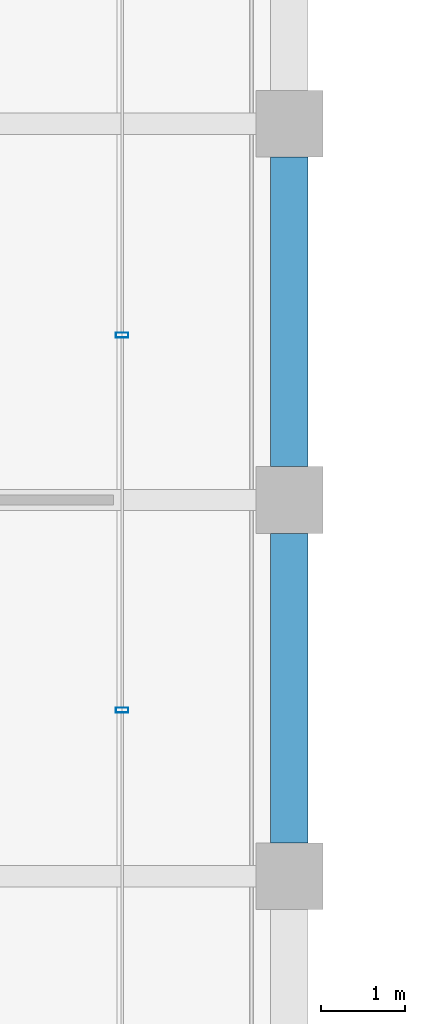
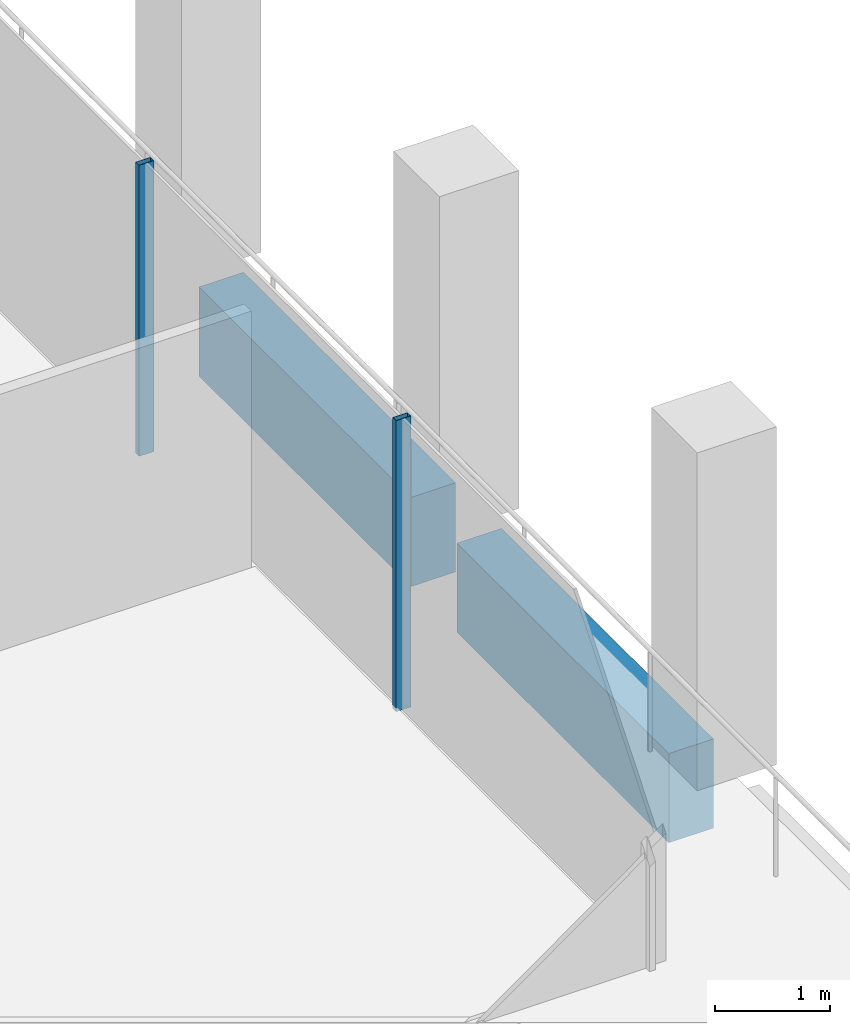
# One storey, part 15 of 40: 2 beams, 2 members, 1 element without a shape of its own.
"""IFC4 building model written with IfcOpenShell, lengths in metres."""

from ifc_helpers import new_model, si_unit, direction, frame, origin, origin_2d, place, context, subcontext, project, spatial, rectangle, hollow_rectangle, extrude, material, material_profile, profile_set, type_object, element, aggregate, save


model = new_model("IFC4")

# Units and contexts
model_context = context("Model", 3, precision=1e-05, world=origin(), true_north=direction((0.0, 1.0)))
body_context = subcontext(model_context, "Body", "Model", "MODEL_VIEW")
ifc_project = project(units=[si_unit("LENGTHUNIT", "METRE"), si_unit("AREAUNIT", "SQUARE_METRE"), si_unit("VOLUMEUNIT", "CUBIC_METRE"), si_unit("PLANEANGLEUNIT", "RADIAN"), si_unit("MASSUNIT", "GRAM", prefix="KILO")], contexts=[model_context])

# Site, building, storey
site_placement = place(None, origin())
site = spatial("IfcSite", under=ifc_project, at=site_placement, CompositionType="ELEMENT")
building_placement = place(site_placement, origin())
building = spatial("IfcBuilding", under=site, at=building_placement, Name="Altepetl Exchange Towers", CompositionType="ELEMENT")
storey_placement = place(building_placement, frame((0.0, 0.0, 199.199951171875)))
storey = spatial("IfcBuildingStorey", under=building, at=storey_placement, Name="L50", CompositionType="ELEMENT", Elevation=199.199951171875)

# Curtain wall, members
ifc_material_1 = material(Name="Aluminium 6063-T6 glazing", Category="aluminium")
curtain_wall_type = type_object("IfcCurtainWallType", Name="Loggia glazing system", PredefinedType="NOTDEFINED", material=ifc_material_1)
curtain_wall_placement = place(storey_placement, origin())
curtain_wall = element("IfcCurtainWall", 1, at=curtain_wall_placement, inside=storey, type_object=curtain_wall_type, Name="CW1 run", PredefinedType="NOTDEFINED")
ifc_material_2 = material(Name="Aluminium 6063-T6", Category="aluminium")
ifc_material_profile_1 = material_profile(ifc_material_2, hollow_rectangle(XDim=0.06005859375, YDim=0.14990234375, WallThickness=0.0029296875, at=origin_2d()), Name="Mullion 60x150 aluminium")
ifc_profile_set_1 = profile_set([ifc_material_profile_1], Name="Aluminium 6063-T6")
member_type = type_object("IfcMemberType", Name="Mullion 60x150 aluminium", PredefinedType="MULLION", material=ifc_profile_set_1)
member_1_placement = place(storey_placement, frame((70.0, 37.986083984375, 0.0), z_axis=(0.0, 0.0, 1.0), x_axis=(0.0, 1.0, 0.0)))
member_1 = element("IfcMember", 2, at=member_1_placement, type_object=member_type, Name="MU1 mullion", PredefinedType="MULLION", context=body_context, shape_type="SweptSolid", body=[
    extrude(hollow_rectangle(XDim=0.06005859375, YDim=0.14990234375, WallThickness=0.0029296875, at=origin_2d()), origin(), (0.0, 0.0, 1.0), 3.10009765625),
])
member_2_placement = place(storey_placement, frame((70.0, 42.471923828125, 0.0), z_axis=(0.0, 0.0, 1.0), x_axis=(0.0, 1.0, 0.0)))
member_2 = element("IfcMember", 3, at=member_2_placement, type_object=member_type, Name="MU1 mullion", PredefinedType="MULLION", context=body_context, shape_type="SweptSolid", body=[
    extrude(hollow_rectangle(XDim=0.06005859375, YDim=0.14990234375, WallThickness=0.0029296875, at=origin_2d()), origin(), (0.0, 0.0, 1.0), 3.10009765625),
])
aggregate(curtain_wall, [member_1, member_2])

# Beams
ifc_material_3 = material(Name="Concrete C50/60 precast with cantera amarilla facing", Category="concrete")
ifc_material_profile_2 = material_profile(ifc_material_3, rectangle(XDim=0.449951171875, YDim=0.949951171875, at=origin_2d()), Name="450 x 950")
ifc_profile_set_2 = profile_set([ifc_material_profile_2], Name="Concrete C50/60 precast with cantera amarilla facing")
beam_type = type_object("IfcBeamType", Name="Spandrel beam 450x950 cantera amarilla", PredefinedType="SPANDREL", material=ifc_profile_set_2)
for number, where, z_axis, x_axis, name in (
    (4, (72.0, 36.39990234375, -0.625), (0.0, 1.0, 0.0), (-1.0, 0.0, 0.0), "sp:A:L50:013"),
    (5, (72.0, 40.89990234375, -0.625), (0.0, 1.0, 0.0), (-1.0, 0.0, 0.0), "sp:A:L50:014"),
):
    element("IfcBeam", number, at=place(storey_placement, frame(where, z_axis=z_axis, x_axis=x_axis)), inside=storey, type_object=beam_type, Name=name, PredefinedType="SPANDREL", context=body_context, shape_type="SweptSolid", body=[
        extrude(rectangle(XDim=0.449951171875, YDim=0.949951171875, at=origin_2d()), origin(), (0.0, 0.0, 1.0), 3.7001953125),
    ])

save(model, "model.ifc")
